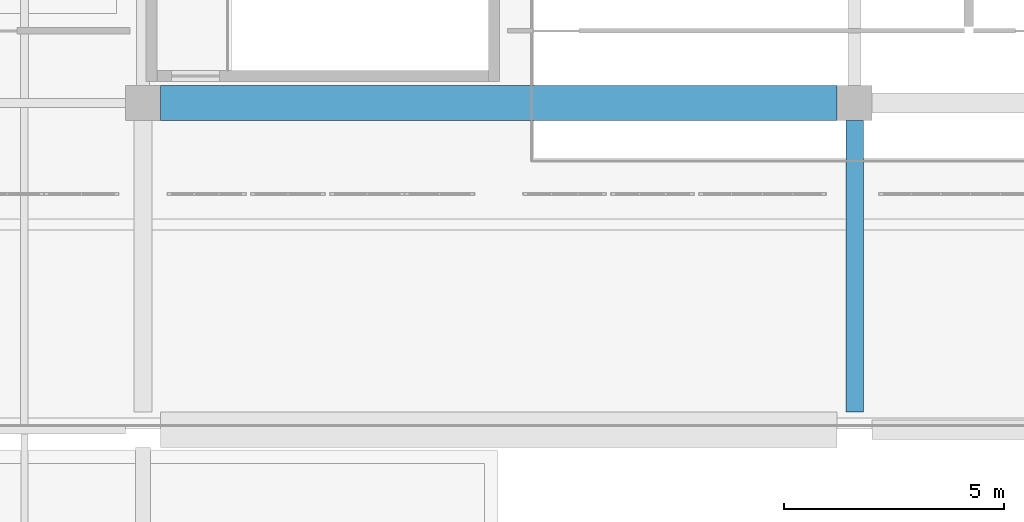
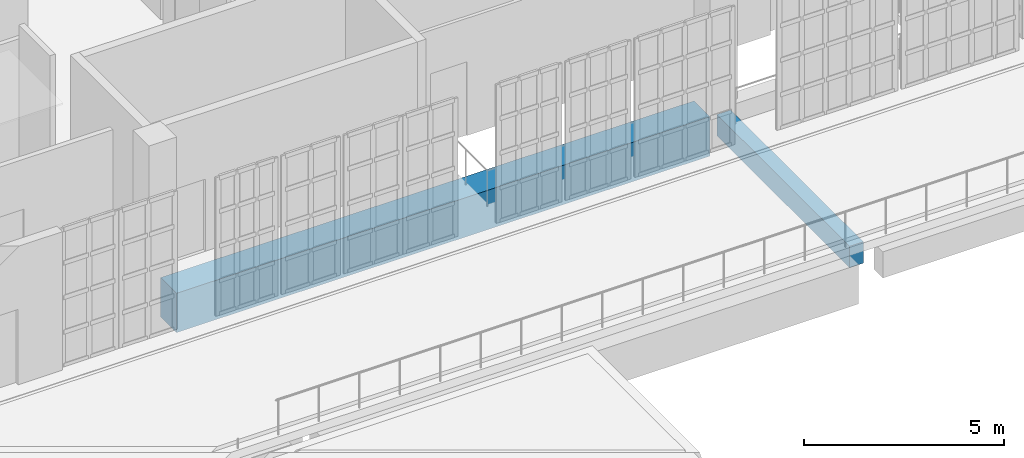
# One storey, part 11 of 56: 2 beams.
"""IFC4 building model written with IfcOpenShell, lengths in metres."""

from ifc_helpers import new_model, si_unit, direction, frame, origin, origin_2d, place, context, subcontext, project, spatial, rectangle, extrude, material, material_profile, profile_set, type_object, element, save


model = new_model("IFC4")

# Units and contexts
model_context = context("Model", 3, precision=1e-05, world=origin(), true_north=direction((0.0, 1.0)))
body_context = subcontext(model_context, "Body", "Model", "MODEL_VIEW")
ifc_project = project(units=[si_unit("LENGTHUNIT", "METRE"), si_unit("AREAUNIT", "SQUARE_METRE"), si_unit("VOLUMEUNIT", "CUBIC_METRE"), si_unit("PLANEANGLEUNIT", "RADIAN"), si_unit("MASSUNIT", "GRAM", prefix="KILO")], contexts=[model_context])

# Site, building, storey
site_placement = place(None, origin())
site = spatial("IfcSite", under=ifc_project, at=site_placement, CompositionType="ELEMENT")
building_placement = place(site_placement, origin())
building = spatial("IfcBuilding", under=site, at=building_placement, Name="Kaelora Sail Theatre", CompositionType="ELEMENT")
storey_placement = place(building_placement, frame((0.0, 0.0, 14.699951171875)))
storey = spatial("IfcBuildingStorey", under=building, at=storey_placement, Name="L03", CompositionType="ELEMENT", Elevation=14.699951171875)

# Beams
ifc_material_1 = material(Name="Concrete C40/50", Category="concrete")
ifc_material_profile_1 = material_profile(ifc_material_1, rectangle(XDim=0.39990234375, YDim=0.64990234375, at=origin_2d()), Name="RC-BM 400x650")
ifc_profile_set_1 = profile_set([ifc_material_profile_1], Name="Concrete C40/50")
beam_type_1 = type_object("IfcBeamType", Name="STR-BM-BM-RC4065", PredefinedType="BEAM", material=ifc_profile_set_1)
beam_1_placement = place(storey_placement, frame((82.5, 61.419921875, -0.599853515625), z_axis=(0.0, 1.0, 0.0), x_axis=(-1.0, 0.0, 0.0)))
element("IfcBeam", 1, at=beam_1_placement, inside=storey, type_object=beam_type_1, Name="Primary beam 11 I-J (L03)", PredefinedType="BEAM", context=body_context, shape_type="SweptSolid", body=[
    extrude(rectangle(XDim=0.39990234375, YDim=0.64990234375, at=origin_2d()), origin(), (0.0, 0.0, 1.0), 6.64013671875),
])
ifc_material_2 = material(Name="Concrete C50/60", Category="concrete")
ifc_material_profile_2 = material_profile(ifc_material_2, rectangle(XDim=0.800048828125, YDim=1.199951171875, at=origin_2d()), Name="RC-SRB 800x1200")
ifc_profile_set_2 = profile_set([ifc_material_profile_2], Name="Concrete C50/60")
beam_type_2 = type_object("IfcBeamType", Name="STR-BM-SRB-8012", PredefinedType="T_BEAM", material=ifc_profile_set_2)
beam_2_placement = place(storey_placement, frame((66.699951171875, 68.4599609375, -0.875), z_axis=(1.0, 0.0, 0.0), x_axis=(0.0, 1.0, 0.0)))
element("IfcBeam", 2, at=beam_2_placement, inside=storey, type_object=beam_type_2, Name="Grand Foyer clear-span girder L03-J", PredefinedType="T_BEAM", context=body_context, shape_type="SweptSolid", body=[
    extrude(rectangle(XDim=0.800048828125, YDim=1.199951171875, at=origin_2d()), origin(), (0.0, 0.0, 1.0), 15.400146484375),
])

save(model, "model.ifc")
